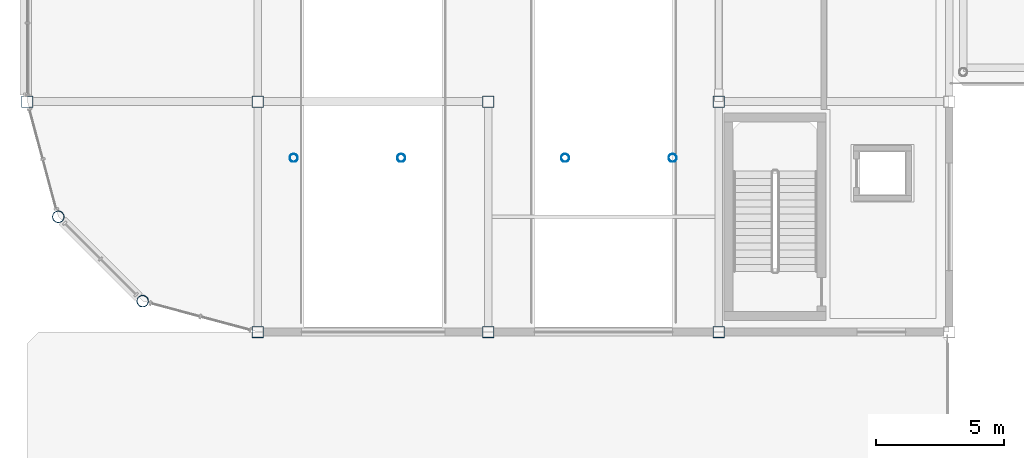
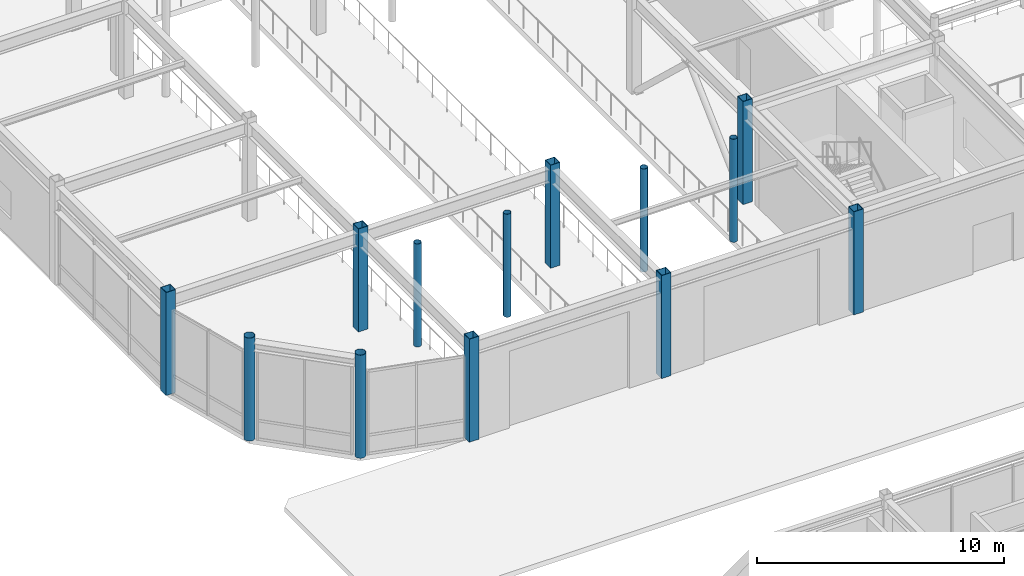
# One storey, part 13 of 123: 13 columns.
"""IFC4 building model written with IfcOpenShell, lengths in metres."""

from ifc_helpers import new_model, si_unit, direction, frame, origin, origin_2d, place, context, subcontext, project, spatial, hollow_rectangle, hollow_circle, extrude, material, material_profile, profile_set, type_object, element, save


model = new_model("IFC4")

# Units and contexts
model_context = context("Model", 3, precision=1e-05, world=origin(), true_north=direction((0.0, 1.0)))
body_context = subcontext(model_context, "Body", "Model", "MODEL_VIEW")
ifc_project = project(units=[si_unit("LENGTHUNIT", "METRE"), si_unit("AREAUNIT", "SQUARE_METRE"), si_unit("VOLUMEUNIT", "CUBIC_METRE"), si_unit("PLANEANGLEUNIT", "RADIAN"), si_unit("MASSUNIT", "GRAM", prefix="KILO")], contexts=[model_context])

# Site, building, storey
site_placement = place(None, origin())
site = spatial("IfcSite", under=ifc_project, at=site_placement, CompositionType="ELEMENT")
building_placement = place(site_placement, origin())
building = spatial("IfcBuilding", under=site, at=building_placement, Name="Suzunagisa Mobility Hub", CompositionType="ELEMENT")
storey_placement = place(building_placement, origin())
storey = spatial("IfcBuildingStorey", under=building, at=storey_placement, Name="L00", CompositionType="ELEMENT", Elevation=0.0)

# Columns
ifc_material = material(Name="Steel SN490B", Category="steel")
ifc_material_profile_1 = material_profile(ifc_material, hollow_circle(Radius=0.228515625, WallThickness=0.01611328125, at=origin_2d()), Name="CHS-457.2x16.0")
ifc_profile_set_1 = profile_set([ifc_material_profile_1], Name="Steel SN490B")
column_type_1 = type_object("IfcColumnType", Name="Steel Column CL-08 CHS-457.2x16.0", PredefinedType="COLUMN", material=ifc_profile_set_1)
for number, where, z_axis, x_axis, name in (
    (1, (1.205810546875, 84.5, 0.0), (0.0, 0.0, 1.0), (1.0, 0.0, 0.0), "L00 Column 13"),
    (2, (4.5, 81.205810546875, 0.0), (0.0, 0.0, 1.0), (1.0, 0.0, 0.0), "L00 Column 18"),
):
    element("IfcColumn", number, at=place(storey_placement, frame(where, z_axis=z_axis, x_axis=x_axis)), inside=storey, type_object=column_type_1, Name=name, PredefinedType="COLUMN", context=body_context, shape_type="SweptSolid", body=[
        extrude(hollow_circle(Radius=0.228515625, WallThickness=0.01611328125, at=origin_2d()), origin(), (0.0, 0.0, 1.0), 5.10009765625),
    ])
ifc_material_profile_2 = material_profile(ifc_material, hollow_circle(Radius=0.1591796875, WallThickness=0.01025390625, at=origin_2d()), Name="CHS-318.5x10.3")
ifc_profile_set_2 = profile_set([ifc_material_profile_2], Name="Steel SN490B")
column_type_2 = type_object("IfcColumnType", Name="Steel Column CL-09 CHS-318.5x10.3", PredefinedType="COLUMN", material=ifc_profile_set_2)
for number, where, z_axis, x_axis, name in (
    (3, (10.39990234375, 86.800048828125, 0.0), (0.0, 0.0, 1.0), (1.0, 0.0, 0.0), "L00 Column 35"),
    (4, (14.60009765625, 86.800048828125, 0.0), (0.0, 0.0, 1.0), (1.0, 0.0, 0.0), "L00 Column 38"),
    (5, (21.0, 86.800048828125, 0.0), (0.0, 0.0, 1.0), (1.0, 0.0, 0.0), "L00 Column 55"),
    (6, (25.199951171875, 86.800048828125, 0.0), (0.0, 0.0, 1.0), (1.0, 0.0, 0.0), "L00 Column 57"),
):
    element("IfcColumn", number, at=place(storey_placement, frame(where, z_axis=z_axis, x_axis=x_axis)), inside=storey, type_object=column_type_2, Name=name, PredefinedType="COLUMN", context=body_context, shape_type="SweptSolid", body=[
        extrude(hollow_circle(Radius=0.1591796875, WallThickness=0.01025390625, at=origin_2d()), origin(), (0.0, 0.0, 1.0), 5.10009765625),
    ])
ifc_material_profile_3 = material_profile(ifc_material, hollow_rectangle(XDim=0.449951171875, YDim=0.449951171875, WallThickness=0.02197265625, at=origin_2d()), Name="BCR-450x450x22")
ifc_profile_set_3 = profile_set([ifc_material_profile_3], Name="Steel SN490B")
column_type_3 = type_object("IfcColumnType", Name="Steel Column CL-17 BCR-450x450x22", PredefinedType="COLUMN", material=ifc_profile_set_3)
for number, where, z_axis, x_axis, name in (
    (7, (0.0, 89.0, 0.0), (0.0, 0.0, 1.0), (1.0, 0.0, 0.0), "L00 Column 8"),
    (8, (9.0, 80.0, 0.0), (0.0, 0.0, 1.0), (1.0, 0.0, 0.0), "L00 Column 28"),
    (9, (9.0, 89.0, 0.0), (0.0, 0.0, 1.0), (1.0, 0.0, 0.0), "L00 Column 29"),
    (10, (18.0, 80.0, 0.0), (0.0, 0.0, 1.0), (1.0, 0.0, 0.0), "L00 Column 50"),
    (11, (18.0, 89.0, 0.0), (0.0, 0.0, 1.0), (1.0, 0.0, 0.0), "L00 Column 51"),
    (12, (27.0, 80.0, 0.0), (0.0, 0.0, 1.0), (1.0, 0.0, 0.0), "L00 Column 70"),
    (13, (27.0, 89.0, 0.0), (0.0, 0.0, 1.0), (1.0, 0.0, 0.0), "L00 Column 71"),
):
    element("IfcColumn", number, at=place(storey_placement, frame(where, z_axis=z_axis, x_axis=x_axis)), inside=storey, type_object=column_type_3, Name=name, PredefinedType="COLUMN", context=body_context, shape_type="SweptSolid", body=[
        extrude(hollow_rectangle(XDim=0.449951171875, YDim=0.449951171875, WallThickness=0.02197265625, at=origin_2d()), origin(), (0.0, 0.0, 1.0), 5.10009765625),
    ])

save(model, "model.ifc")
